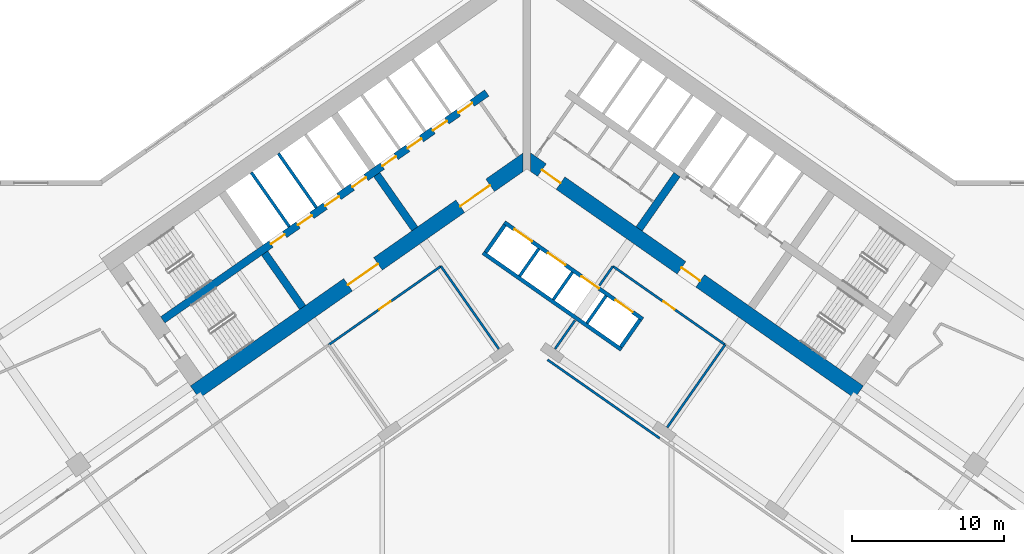
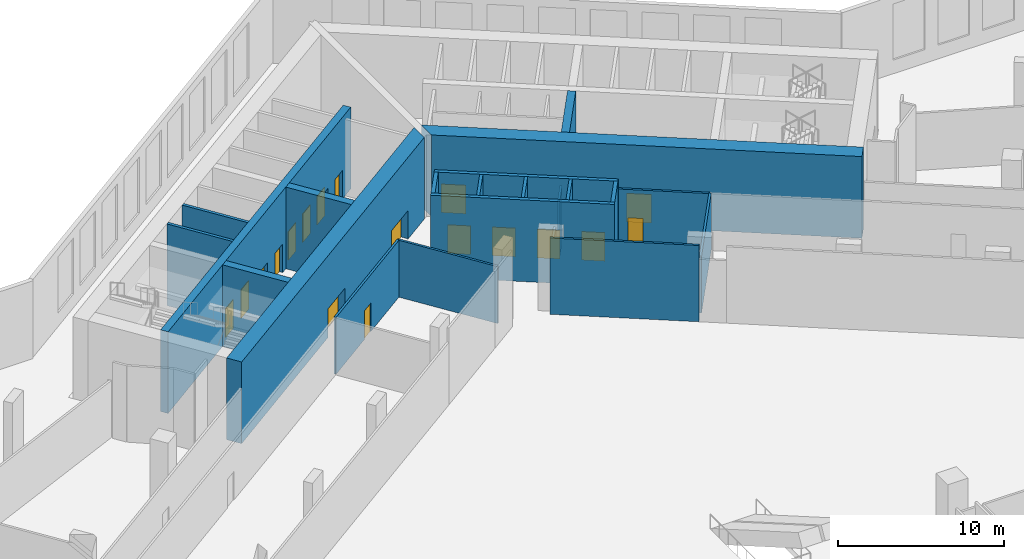
# One storey, part 10 of 25: 22 walls, 18 doors, 18 openings.
"""IFC4 building model written with IfcOpenShell, lengths in metres."""

from ifc_helpers import new_model, si_unit, direction, frame, frame_2d, origin, place, context, subcontext, project, spatial, polyline, rectangle, outline, extrude, material, layer, layer_set, type_object, element, fill, save


model = new_model("IFC4")

# Units and contexts
model_context = context("Model", 3, precision=1e-05, world=origin(), true_north=direction((0.0, 1.0)))
body_context = subcontext(model_context, "Body", "Model", "MODEL_VIEW")
ifc_project = project(units=[si_unit("LENGTHUNIT", "METRE"), si_unit("AREAUNIT", "SQUARE_METRE"), si_unit("VOLUMEUNIT", "CUBIC_METRE"), si_unit("PLANEANGLEUNIT", "RADIAN"), si_unit("MASSUNIT", "GRAM", prefix="KILO")], contexts=[model_context])

# Site, building, storey
site_placement = place(None, origin())
site = spatial("IfcSite", under=ifc_project, at=site_placement, CompositionType="ELEMENT")
building_placement = place(site_placement, origin())
building = spatial("IfcBuilding", under=site, at=building_placement, Name="Tel Ilan Convention Tower", CompositionType="ELEMENT")
storey_placement = place(building_placement, frame((0.0, 0.0, 26.0)))
storey = spatial("IfcBuildingStorey", under=building, at=storey_placement, Name="L03", CompositionType="ELEMENT", Elevation=26.0)

# Wall, openings, doors
ifc_material_1 = material(Name="Concrete C60/75", Category="concrete")
ifc_layer_1 = layer(ifc_material_1, 1.0)
ifc_layer_set_1 = layer_set([ifc_layer_1], Name="Core Shear Wall 1000 mm C60/75")
wall_type_1 = type_object("IfcWallType", Name="Core Shear Wall 1000 mm C60/75", PredefinedType="SHEAR", material=ifc_layer_set_1)
wall_1_placement = place(storey_placement, frame((0.036865234375, -0.584716796875, 0.0), z_axis=(0.0, 0.0, 1.0), x_axis=(-0.819157152511, -0.573569140985, 0.0)))
wall_1 = element("IfcWall", 1, at=wall_1_placement, inside=storey, type_object=wall_type_1, Name="L03 core wall W-front", PredefinedType="SHEAR", context=body_context, shape_type="SweptSolid", body=[
    extrude(outline(polyline([(26.69482421875, 0.500244140625), (0.7001953125, 0.499755859375), (0.0, -0.5), (26.69482421875, -0.499755859375), (26.69482421875, 0.500244140625)])), origin(), (0.0, 0.0, 1.0), 6.0),
])
opening_1_placement = place(wall_1_placement, frame((2.994873046875, 0.0, 0.0)))
opening_1 = element("IfcOpeningElement", 2, at=opening_1_placement, cuts=wall_1, Name="Opening CD0605", PredefinedType="OPENING", context=body_context, shape_type="SweptSolid", body=[
    extrude(rectangle(XDim=2.39990234375, YDim=2.10009765625, at=frame_2d((1.199951171875, 1.050048828125))), frame((0.0, 0.510009765625, 0.0), z_axis=(0.0, -1.0, 0.0), x_axis=(1.0, 0.0, 0.0)), (0.0, 0.0, 1.0), 1.02001953125),
])
opening_2_placement = place(wall_1_placement, frame((11.994873046875, 0.0, 0.0)))
opening_2 = element("IfcOpeningElement", 3, at=opening_2_placement, cuts=wall_1, Name="Opening CD0606", PredefinedType="OPENING", context=body_context, shape_type="SweptSolid", body=[
    extrude(rectangle(XDim=2.39990234375, YDim=2.10009765625, at=frame_2d((1.199951171875, 1.050048828125))), frame((0.0, 0.510009765625, 0.0), z_axis=(0.0, -1.0, 0.0), x_axis=(1.0, 0.0, 0.0)), (0.0, 0.0, 1.0), 1.02001953125),
])
ifc_material_2 = material(Name="Glazed Aluminium Door Leaf", Category="aluminium")
door_type_1 = type_object("IfcDoorType", Name="Lobby Opening Door 2400 x 2100 FD60S", OperationType="NOTDEFINED", PredefinedType="DOOR", material=ifc_material_2)
door_1_placement = place(opening_1_placement, origin())
door_1 = element("IfcDoor", 4, at=door_1_placement, inside=storey, type_object=door_type_1, Name="Lift Lobby LR1-LR4 opening", OperationType="DOUBLE_DOOR_SINGLE_SWING", OverallHeight=2.10009765625, OverallWidth=2.39990234375, PredefinedType="DOOR", context=body_context, shape_type="SweptSolid", body=[
    extrude(rectangle(XDim=2.39990234375, YDim=2.10009765625, at=frame_2d((1.199951171875, 1.050048828125))), frame((0.0, 0.02490234375, 0.0), z_axis=(0.0, -1.0, 0.0), x_axis=(1.0, 0.0, 0.0)), (0.0, 0.0, 1.0), 0.050048828125),
])
fill(opening_1, door_1)
door_2_placement = place(opening_2_placement, origin())
door_2 = element("IfcDoor", 5, at=door_2_placement, inside=storey, type_object=door_type_1, Name="Lift Lobby LR5-LR8 opening", OperationType="DOUBLE_DOOR_SINGLE_SWING", OverallHeight=2.10009765625, OverallWidth=2.39990234375, PredefinedType="DOOR", context=body_context, shape_type="SweptSolid", body=[
    extrude(rectangle(XDim=2.39990234375, YDim=2.10009765625, at=frame_2d((1.199951171875, 1.050048828125))), frame((0.0, 0.02490234375, 0.0), z_axis=(0.0, -1.0, 0.0), x_axis=(1.0, 0.0, 0.0)), (0.0, 0.0, 1.0), 0.050048828125),
])
fill(opening_2, door_2)

wall_2_placement = place(storey_placement, frame((-0.036865234375, -0.584716796875, 0.0), z_axis=(0.0, 0.0, 1.0), x_axis=(0.819157152511, -0.573569140985, 0.0)))
wall_2 = element("IfcWall", 6, at=wall_2_placement, inside=storey, type_object=wall_type_1, Name="L03 core wall E-front", PredefinedType="SHEAR", context=body_context, shape_type="SweptSolid", body=[
    extrude(outline(polyline([(26.69482421875, 0.499755859375), (0.0, 0.5), (0.7001953125, -0.499755859375), (26.69482421875, -0.500244140625), (26.69482421875, 0.499755859375)])), origin(), (0.0, 0.0, 1.0), 6.0),
])
opening_3_placement = place(wall_2_placement, frame((1.244873046875, 0.0, 0.0)))
opening_3 = element("IfcOpeningElement", 7, at=opening_3_placement, cuts=wall_2, Name="Opening CD0603", PredefinedType="OPENING", context=body_context, shape_type="SweptSolid", body=[
    extrude(rectangle(XDim=1.5, YDim=2.10009765625, at=frame_2d((0.75, 1.050048828125))), frame((0.0, 0.510009765625, 0.0), z_axis=(0.0, -1.0, 0.0), x_axis=(1.0, 0.0, 0.0)), (0.0, 0.0, 1.0), 1.02001953125),
])
opening_4_placement = place(wall_2_placement, frame((12.44482421875, 0.0, 0.0)))
opening_4 = element("IfcOpeningElement", 8, at=opening_4_placement, cuts=wall_2, Name="Opening CD0604", PredefinedType="OPENING", context=body_context, shape_type="SweptSolid", body=[
    extrude(rectangle(XDim=1.5, YDim=2.10009765625, at=frame_2d((0.75, 1.050048828125))), frame((0.0, 0.510009765625, 0.0), z_axis=(0.0, -1.0, 0.0), x_axis=(1.0, 0.0, 0.0)), (0.0, 0.0, 1.0), 1.02001953125),
])
ifc_material_3 = material(Name="Glazed Aluminium Door Leaf", Category="aluminium")
door_type_2 = type_object("IfcDoorType", Name="Lobby Opening Door 1500 x 2100 FD60S", OperationType="NOTDEFINED", PredefinedType="DOOR", material=ifc_material_3)
door_3_placement = place(opening_4_placement, origin())
door_3 = element("IfcDoor", 9, at=door_3_placement, inside=storey, type_object=door_type_2, Name="Firefighting Lobby door", OperationType="DOUBLE_DOOR_SINGLE_SWING", OverallHeight=2.10009765625, OverallWidth=1.5, PredefinedType="DOOR", context=body_context, shape_type="SweptSolid", body=[
    extrude(rectangle(XDim=1.5, YDim=2.10009765625, at=frame_2d((0.75, 1.050048828125))), frame((0.0, 0.02490234375, 0.0), z_axis=(0.0, -1.0, 0.0), x_axis=(1.0, 0.0, 0.0)), (0.0, 0.0, 1.0), 0.050048828125),
])
fill(opening_4, door_3)
ifc_material_4 = material(Name="Laminated Timber Door Leaf", Category="wood")
door_type_3 = type_object("IfcDoorType", Name="Toilet Door 1500 x 2100 FD30S", OperationType="NOTDEFINED", PredefinedType="DOOR", material=ifc_material_4)
door_4_placement = place(opening_3_placement, origin())
door_4 = element("IfcDoor", 10, at=door_4_placement, inside=storey, type_object=door_type_3, Name="WC Lobby door", OperationType="SINGLE_SWING_RIGHT", OverallHeight=2.10009765625, OverallWidth=1.5, PredefinedType="DOOR", context=body_context, shape_type="SweptSolid", body=[
    extrude(rectangle(XDim=1.5, YDim=2.10009765625, at=frame_2d((0.75, 1.050048828125))), frame((0.0, 0.02490234375, 0.0), z_axis=(0.0, -1.0, 0.0), x_axis=(1.0, 0.0, 0.0)), (0.0, 0.0, 1.0), 0.050048828125),
])
fill(opening_3, door_4)

# Walls
ifc_material_5 = material(Name="Concrete C60/75", Category="concrete")
ifc_layer_2 = layer(ifc_material_5, 0.5)
ifc_layer_set_2 = layer_set([ifc_layer_2], Name="Core Shear Wall 500 mm C60/75")
wall_type_2 = type_object("IfcWallType", Name="Core Shear Wall 500 mm C60/75", PredefinedType="SHEAR", material=ifc_layer_set_2)
wall_3_placement = place(storey_placement, frame((-7.372314453125, -5.162109375, 0.0), z_axis=(0.0, 0.0, 1.0), x_axis=(-0.573594173421, 0.819139624372, 0.0)))
element("IfcWall", 11, at=wall_3_placement, inside=storey, type_object=wall_type_2, Name="L03 core wall W-cross1-1", PredefinedType="SHEAR", context=body_context, shape_type="SweptSolid", body=[
    extrude(outline(polyline([(4.349853515625, 0.25), (0.0, 0.250244140625), (0.0, -0.25), (4.349853515625, -0.25), (4.349853515625, 0.25)])), origin(), (0.0, 0.0, 1.0), 6.0),
])
wall_4_placement = place(storey_placement, frame((-14.74462890625, -10.324462890625, 0.0), z_axis=(0.0, 0.0, 1.0), x_axis=(-0.57356780395, 0.819158088694, 0.0)))
element("IfcWall", 12, at=wall_4_placement, inside=storey, type_object=wall_type_2, Name="L03 core wall W-cross2-1", PredefinedType="SHEAR", context=body_context, shape_type="SweptSolid", body=[
    extrude(outline(polyline([(4.35009765625, 0.250244140625), (0.0, 0.25), (0.0, -0.25), (4.35009765625, -0.25), (4.35009765625, 0.250244140625)])), origin(), (0.0, 0.0, 1.0), 6.0),
])

# Wall, openings, doors
wall_5_placement = place(storey_placement, frame((-2.638427734375, 3.76806640625, 0.0), z_axis=(0.0, 0.0, 1.0), x_axis=(-0.819148977158, -0.573580816643, 0.0)))
wall_5 = element("IfcWall", 13, at=wall_5_placement, inside=storey, type_object=wall_type_2, Name="L03 core wall W-spine", PredefinedType="SHEAR", context=body_context, shape_type="SweptSolid", body=[
    extrude(outline(polyline([(26.0, 0.249755859375), (0.0, 0.25), (0.0, -0.25), (26.0, -0.250244140625), (26.0, 0.249755859375)])), origin(), (0.0, 0.0, 1.0), 6.0),
])
opening_5_placement = place(wall_5_placement, frame((1.168701171875, 0.0, 0.0)))
opening_5 = element("IfcOpeningElement", 14, at=opening_5_placement, cuts=wall_5, Name="Opening LD0604", PredefinedType="OPENING", context=body_context, shape_type="SweptSolid", body=[
    extrude(rectangle(XDim=1.10009765625, YDim=2.10009765625, at=frame_2d((0.550048828125, 1.050048828125))), frame((0.0, 0.260009765625, 0.0), z_axis=(0.0, -1.0, 0.0), x_axis=(1.0, 0.0, 0.0)), (0.0, 0.0, 1.0), 0.52001953125),
])
opening_6_placement = place(wall_5_placement, frame((3.206298828125, 0.0, 0.0)))
opening_6 = element("IfcOpeningElement", 15, at=opening_6_placement, cuts=wall_5, Name="Opening LD0605", PredefinedType="OPENING", context=body_context, shape_type="SweptSolid", body=[
    extrude(rectangle(XDim=1.10009765625, YDim=2.10009765625, at=frame_2d((0.550048828125, 1.050048828125))), frame((0.0, 0.260009765625, 0.0), z_axis=(0.0, -1.0, 0.0), x_axis=(1.0, 0.0, 0.0)), (0.0, 0.0, 1.0), 0.52001953125),
])
opening_7_placement = place(wall_5_placement, frame((5.24365234375, 0.0, 0.0)))
opening_7 = element("IfcOpeningElement", 16, at=opening_7_placement, cuts=wall_5, Name="Opening LD0606", PredefinedType="OPENING", context=body_context, shape_type="SweptSolid", body=[
    extrude(rectangle(XDim=1.10009765625, YDim=2.10009765625, at=frame_2d((0.550048828125, 1.050048828125))), frame((0.0, 0.260009765625, 0.0), z_axis=(0.0, -1.0, 0.0), x_axis=(1.0, 0.0, 0.0)), (0.0, 0.0, 1.0), 0.52001953125),
])
opening_8_placement = place(wall_5_placement, frame((7.28125, 0.0, 0.0)))
opening_8 = element("IfcOpeningElement", 17, at=opening_8_placement, cuts=wall_5, Name="Opening LD0607", PredefinedType="OPENING", context=body_context, shape_type="SweptSolid", body=[
    extrude(rectangle(XDim=1.10009765625, YDim=2.10009765625, at=frame_2d((0.550048828125, 1.050048828125))), frame((0.0, 0.260009765625, 0.0), z_axis=(0.0, -1.0, 0.0), x_axis=(1.0, 0.0, 0.0)), (0.0, 0.0, 1.0), 0.52001953125),
])
opening_9_placement = place(wall_5_placement, frame((9.6875, 0.0, 0.0)))
opening_9 = element("IfcOpeningElement", 18, at=opening_9_placement, cuts=wall_5, Name="Opening LD0608", PredefinedType="OPENING", context=body_context, shape_type="SweptSolid", body=[
    extrude(rectangle(XDim=1.10009765625, YDim=2.10009765625, at=frame_2d((0.550048828125, 1.050048828125))), frame((0.0, 0.260009765625, 0.0), z_axis=(0.0, -1.0, 0.0), x_axis=(1.0, 0.0, 0.0)), (0.0, 0.0, 1.0), 0.52001953125),
])
opening_10_placement = place(wall_5_placement, frame((11.862548828125, 0.0, 0.0)))
opening_10 = element("IfcOpeningElement", 19, at=opening_10_placement, cuts=wall_5, Name="Opening LD0609", PredefinedType="OPENING", context=body_context, shape_type="SweptSolid", body=[
    extrude(rectangle(XDim=1.10009765625, YDim=2.10009765625, at=frame_2d((0.550048828125, 1.050048828125))), frame((0.0, 0.260009765625, 0.0), z_axis=(0.0, -1.0, 0.0), x_axis=(1.0, 0.0, 0.0)), (0.0, 0.0, 1.0), 0.52001953125),
])
opening_11_placement = place(wall_5_placement, frame((14.03759765625, 0.0, 0.0)))
opening_11 = element("IfcOpeningElement", 20, at=opening_11_placement, cuts=wall_5, Name="Opening LD0610", PredefinedType="OPENING", context=body_context, shape_type="SweptSolid", body=[
    extrude(rectangle(XDim=1.10009765625, YDim=2.10009765625, at=frame_2d((0.550048828125, 1.050048828125))), frame((0.0, 0.260009765625, 0.0), z_axis=(0.0, -1.0, 0.0), x_axis=(1.0, 0.0, 0.0)), (0.0, 0.0, 1.0), 0.52001953125),
])
opening_12_placement = place(wall_5_placement, frame((16.21240234375, 0.0, 0.0)))
opening_12 = element("IfcOpeningElement", 21, at=opening_12_placement, cuts=wall_5, Name="Opening LD0611", PredefinedType="OPENING", context=body_context, shape_type="SweptSolid", body=[
    extrude(rectangle(XDim=1.10009765625, YDim=2.10009765625, at=frame_2d((0.550048828125, 1.050048828125))), frame((0.0, 0.260009765625, 0.0), z_axis=(0.0, -1.0, 0.0), x_axis=(1.0, 0.0, 0.0)), (0.0, 0.0, 1.0), 0.52001953125),
])
ifc_material_6 = material(Name="Stainless Steel Sliding Door Leaf", Category="steel")
door_type_4 = type_object("IfcDoorType", Name="Lift Landing Door 1100 x 2100 FD120", OperationType="NOTDEFINED", PredefinedType="DOOR", material=ifc_material_6)
door_5_placement = place(opening_5_placement, origin())
door_5 = element("IfcDoor", 22, at=door_5_placement, inside=storey, type_object=door_type_4, Name="Lift LR1 landing door", OperationType="SLIDING_TO_LEFT", OverallHeight=2.10009765625, OverallWidth=1.10009765625, PredefinedType="DOOR", context=body_context, shape_type="SweptSolid", body=[
    extrude(rectangle(XDim=1.10009765625, YDim=2.10009765625, at=frame_2d((0.550048828125, 1.050048828125))), frame((0.0, 0.02490234375, 0.0), z_axis=(0.0, -1.0, 0.0), x_axis=(1.0, 0.0, 0.0)), (0.0, 0.0, 1.0), 0.050048828125),
])
fill(opening_5, door_5)
door_6_placement = place(opening_6_placement, origin())
door_6 = element("IfcDoor", 23, at=door_6_placement, inside=storey, type_object=door_type_4, Name="Lift LR2 landing door", OperationType="SLIDING_TO_RIGHT", OverallHeight=2.10009765625, OverallWidth=1.10009765625, PredefinedType="DOOR", context=body_context, shape_type="SweptSolid", body=[
    extrude(rectangle(XDim=1.10009765625, YDim=2.10009765625, at=frame_2d((0.550048828125, 1.050048828125))), frame((0.0, 0.02490234375, 0.0), z_axis=(0.0, -1.0, 0.0), x_axis=(1.0, 0.0, 0.0)), (0.0, 0.0, 1.0), 0.050048828125),
])
fill(opening_6, door_6)
door_7_placement = place(opening_7_placement, origin())
door_7 = element("IfcDoor", 24, at=door_7_placement, inside=storey, type_object=door_type_4, Name="Lift LR3 landing door", OperationType="SLIDING_TO_LEFT", OverallHeight=2.10009765625, OverallWidth=1.10009765625, PredefinedType="DOOR", context=body_context, shape_type="SweptSolid", body=[
    extrude(rectangle(XDim=1.10009765625, YDim=2.10009765625, at=frame_2d((0.550048828125, 1.050048828125))), frame((0.0, 0.02490234375, 0.0), z_axis=(0.0, -1.0, 0.0), x_axis=(1.0, 0.0, 0.0)), (0.0, 0.0, 1.0), 0.050048828125),
])
fill(opening_7, door_7)
door_8_placement = place(opening_8_placement, origin())
door_8 = element("IfcDoor", 25, at=door_8_placement, inside=storey, type_object=door_type_4, Name="Lift LR4 landing door", OperationType="SLIDING_TO_RIGHT", OverallHeight=2.10009765625, OverallWidth=1.10009765625, PredefinedType="DOOR", context=body_context, shape_type="SweptSolid", body=[
    extrude(rectangle(XDim=1.10009765625, YDim=2.10009765625, at=frame_2d((0.550048828125, 1.050048828125))), frame((0.0, 0.02490234375, 0.0), z_axis=(0.0, -1.0, 0.0), x_axis=(1.0, 0.0, 0.0)), (0.0, 0.0, 1.0), 0.050048828125),
])
fill(opening_8, door_8)
door_9_placement = place(opening_9_placement, origin())
door_9 = element("IfcDoor", 26, at=door_9_placement, inside=storey, type_object=door_type_4, Name="Lift LR5 landing door", OperationType="SLIDING_TO_LEFT", OverallHeight=2.10009765625, OverallWidth=1.10009765625, PredefinedType="DOOR", context=body_context, shape_type="SweptSolid", body=[
    extrude(rectangle(XDim=1.10009765625, YDim=2.10009765625, at=frame_2d((0.550048828125, 1.050048828125))), frame((0.0, 0.02490234375, 0.0), z_axis=(0.0, -1.0, 0.0), x_axis=(1.0, 0.0, 0.0)), (0.0, 0.0, 1.0), 0.050048828125),
])
fill(opening_9, door_9)
door_10_placement = place(opening_10_placement, origin())
door_10 = element("IfcDoor", 27, at=door_10_placement, inside=storey, type_object=door_type_4, Name="Lift LR6 landing door", OperationType="SLIDING_TO_RIGHT", OverallHeight=2.10009765625, OverallWidth=1.10009765625, PredefinedType="DOOR", context=body_context, shape_type="SweptSolid", body=[
    extrude(rectangle(XDim=1.10009765625, YDim=2.10009765625, at=frame_2d((0.550048828125, 1.050048828125))), frame((0.0, 0.02490234375, 0.0), z_axis=(0.0, -1.0, 0.0), x_axis=(1.0, 0.0, 0.0)), (0.0, 0.0, 1.0), 0.050048828125),
])
fill(opening_10, door_10)
door_11_placement = place(opening_11_placement, origin())
door_11 = element("IfcDoor", 28, at=door_11_placement, inside=storey, type_object=door_type_4, Name="Lift LR7 landing door", OperationType="SLIDING_TO_LEFT", OverallHeight=2.10009765625, OverallWidth=1.10009765625, PredefinedType="DOOR", context=body_context, shape_type="SweptSolid", body=[
    extrude(rectangle(XDim=1.10009765625, YDim=2.10009765625, at=frame_2d((0.550048828125, 1.050048828125))), frame((0.0, 0.02490234375, 0.0), z_axis=(0.0, -1.0, 0.0), x_axis=(1.0, 0.0, 0.0)), (0.0, 0.0, 1.0), 0.050048828125),
])
fill(opening_11, door_11)
door_12_placement = place(opening_12_placement, origin())
door_12 = element("IfcDoor", 29, at=door_12_placement, inside=storey, type_object=door_type_4, Name="Lift LR8 landing door", OperationType="SLIDING_TO_RIGHT", OverallHeight=2.10009765625, OverallWidth=1.10009765625, PredefinedType="DOOR", context=body_context, shape_type="SweptSolid", body=[
    extrude(rectangle(XDim=1.10009765625, YDim=2.10009765625, at=frame_2d((0.550048828125, 1.050048828125))), frame((0.0, 0.02490234375, 0.0), z_axis=(0.0, -1.0, 0.0), x_axis=(1.0, 0.0, 0.0)), (0.0, 0.0, 1.0), 0.050048828125),
])
fill(opening_12, door_12)

# Wall
wall_6_placement = place(storey_placement, frame((7.372314453125, -5.162109375, 0.0), z_axis=(0.0, 0.0, 1.0), x_axis=(0.573594173421, 0.819139624372, 0.0)))
element("IfcWall", 30, at=wall_6_placement, inside=storey, type_object=wall_type_2, Name="L03 core wall E-cross1-1", PredefinedType="SHEAR", context=body_context, shape_type="SweptSolid", body=[
    extrude(outline(polyline([(0.0, 0.25), (0.0, -0.250244140625), (4.349853515625, -0.25), (4.349853515625, 0.25), (0.0, 0.25)])), origin(), (0.0, 0.0, 1.0), 6.0),
])

# Wall, opening, door
ifc_material_7 = material(Name="Plasterboard on Steel Studs", Category="steel")
ifc_layer_3 = layer(ifc_material_7, 0.14990234375)
ifc_layer_set_3 = layer_set([ifc_layer_3], Name="Fire-rated Partition 150 EI 60")
wall_type_3 = type_object("IfcWallType", Name="Fire-rated Partition 150 EI 60", PredefinedType="PARTITIONING", material=ifc_layer_set_3)
wall_7_placement = place(storey_placement, frame((13.025634765625, -12.782958984375, 0.0), z_axis=(0.0, 0.0, 1.0), x_axis=(-0.81915291695, 0.57357519006, 0.0)))
wall_7 = element("IfcWall", 31, at=wall_7_placement, inside=storey, type_object=wall_type_3, Name="Partition 002", PredefinedType="PARTITIONING", context=body_context, shape_type="SweptSolid", body=[
    extrude(rectangle(XDim=9.001953125, YDim=0.14990234375, at=frame_2d((4.5009765625, 0.0))), origin(), (0.0, 0.0, 1.0), 4.179931640625),
])
opening_13_placement = place(wall_7_placement, frame((4.051025390625, 0.0, 0.0)))
opening_13 = element("IfcOpeningElement", 32, at=opening_13_placement, cuts=wall_7, Name="Opening L03-004", PredefinedType="OPENING", context=body_context, shape_type="SweptSolid", body=[
    extrude(rectangle(XDim=0.89990234375, YDim=2.10009765625, at=frame_2d((0.449951171875, 1.050048828125))), frame((0.0, 0.0849609375, 0.0), z_axis=(0.0, -1.0, 0.0), x_axis=(1.0, 0.0, 0.0)), (0.0, 0.0, 1.0), 0.169921875),
])
ifc_material_8 = material(Name="Timber Door Leaf in Steel Frame", Category="steel")
door_type_5 = type_object("IfcDoorType", Name="Room Fire Door 900x2100", OperationType="NOTDEFINED", PredefinedType="DOOR", material=ifc_material_8)
door_13_placement = place(opening_13_placement, origin())
door_13 = element("IfcDoor", 33, at=door_13_placement, inside=storey, type_object=door_type_5, Name="Door L03-004", OperationType="SINGLE_SWING_LEFT", OverallHeight=2.10009765625, OverallWidth=0.89990234375, PredefinedType="DOOR", context=body_context, shape_type="SweptSolid", body=[
    extrude(rectangle(XDim=0.89990234375, YDim=2.10009765625, at=frame_2d((0.449951171875, 1.050048828125))), frame((0.0, 0.02490234375, 0.0), z_axis=(0.0, -1.0, 0.0), x_axis=(1.0, 0.0, 0.0)), (0.0, 0.0, 1.0), 0.050048828125),
])
fill(opening_13, door_13)

wall_8_placement = place(storey_placement, frame((-5.651611328125, -7.61962890625, 0.0), z_axis=(0.0, 0.0, 1.0), x_axis=(-0.81915291695, -0.57357519006, 0.0)))
wall_8 = element("IfcWall", 34, at=wall_8_placement, inside=storey, type_object=wall_type_3, Name="Partition 005", PredefinedType="PARTITIONING", context=body_context, shape_type="SweptSolid", body=[
    extrude(rectangle(XDim=9.001953125, YDim=0.14990234375, at=frame_2d((4.5009765625, 0.0))), origin(), (0.0, 0.0, 1.0), 4.179931640625),
])
opening_14_placement = place(wall_8_placement, frame((4.051025390625, 0.0, 0.0)))
opening_14 = element("IfcOpeningElement", 35, at=opening_14_placement, cuts=wall_8, Name="Opening L03-001", PredefinedType="OPENING", context=body_context, shape_type="SweptSolid", body=[
    extrude(rectangle(XDim=0.89990234375, YDim=2.10009765625, at=frame_2d((0.449951171875, 1.050048828125))), frame((0.0, 0.0849609375, 0.0), z_axis=(0.0, -1.0, 0.0), x_axis=(1.0, 0.0, 0.0)), (0.0, 0.0, 1.0), 0.169921875),
])
door_14_placement = place(opening_14_placement, origin())
door_14 = element("IfcDoor", 36, at=door_14_placement, inside=storey, type_object=door_type_5, Name="Door L03-001", OperationType="SINGLE_SWING_RIGHT", OverallHeight=2.10009765625, OverallWidth=0.89990234375, PredefinedType="DOOR", context=body_context, shape_type="SweptSolid", body=[
    extrude(rectangle(XDim=0.89990234375, YDim=2.10009765625, at=frame_2d((0.449951171875, 1.050048828125))), frame((0.0, 0.02490234375, 0.0), z_axis=(0.0, -1.0, 0.0), x_axis=(1.0, 0.0, 0.0)), (0.0, 0.0, 1.0), 0.050048828125),
])
fill(opening_14, door_14)

# Walls
wall_9_placement = place(storey_placement, frame((13.02392578125, -12.78173828125, 0.0), z_axis=(0.0, 0.0, 1.0), x_axis=(-0.573556251799, -0.819166177294, 0.0)))
element("IfcWall", 37, at=wall_9_placement, inside=storey, type_object=wall_type_3, Name="Partition 017", PredefinedType="PARTITIONING", context=body_context, shape_type="SweptSolid", body=[
    extrude(rectangle(XDim=6.630126953125, YDim=0.14990234375, at=frame_2d((3.31494140625, 0.0))), origin(), (0.0, 0.0, 1.0), 4.179931640625),
])
wall_10_placement = place(storey_placement, frame((8.72216796875, -18.925537109375, 0.0), z_axis=(0.0, 0.0, 1.0), x_axis=(-0.819141427692, 0.573591598124, 0.0)))
element("IfcWall", 38, at=wall_10_placement, inside=storey, type_object=wall_type_3, Name="Partition 018", PredefinedType="PARTITIONING", context=body_context, shape_type="SweptSolid", body=[
    extrude(rectangle(XDim=9.0, YDim=0.14990234375, at=frame_2d((4.5, 0.0))), origin(), (0.0, 0.0, 1.0), 5.60009765625),
])
wall_11_placement = place(storey_placement, frame((1.848876953125, -13.050537109375, 0.0), z_axis=(0.0, 0.0, 1.0), x_axis=(0.57358452344, 0.819146381589, 0.0)))
element("IfcWall", 39, at=wall_11_placement, inside=storey, type_object=wall_type_3, Name="Partition 019", PredefinedType="PARTITIONING", context=body_context, shape_type="SweptSolid", body=[
    extrude(rectangle(XDim=2.27978515625, YDim=0.14990234375, at=frame_2d((1.139892578125, 0.0))), origin(), (0.0, 0.0, 1.0), 4.179931640625),
])
wall_12_placement = place(storey_placement, frame((4.7626953125, -8.889404296875, 0.0), z_axis=(0.0, 0.0, 1.0), x_axis=(0.573494057365, 0.819209720504, 0.0)))
element("IfcWall", 40, at=wall_12_placement, inside=storey, type_object=wall_type_3, Name="Partition 020", PredefinedType="PARTITIONING", context=body_context, shape_type="SweptSolid", body=[
    extrude(rectangle(XDim=1.550048828125, YDim=0.14990234375, at=frame_2d((0.77490234375, 0.0))), origin(), (0.0, 0.0, 1.0), 4.179931640625),
])
wall_13_placement = place(storey_placement, frame((-1.848876953125, -13.050537109375, 0.0), z_axis=(0.0, 0.0, 1.0), x_axis=(-0.573575988258, 0.819152358047, 0.0)))
element("IfcWall", 41, at=wall_13_placement, inside=storey, type_object=wall_type_3, Name="Partition 069", PredefinedType="PARTITIONING", context=body_context, shape_type="SweptSolid", body=[
    extrude(rectangle(XDim=6.632080078125, YDim=0.14990234375, at=frame_2d((3.31591796875, 0.0))), origin(), (0.0, 0.0, 1.0), 4.179931640625),
])
ifc_material_9 = material(Name="Concrete C30/37", Category="concrete")
ifc_layer_4 = layer(ifc_material_9, 0.199951171875)
ifc_layer_set_4 = layer_set([ifc_layer_4], Name="Lift Shaft Wall 200 mm C30/37")
wall_type_4 = type_object("IfcWallType", Name="Lift Shaft Wall 200 mm C30/37", PredefinedType="SOLIDWALL", material=ifc_layer_set_4)
wall_14_placement = place(storey_placement, frame((-13.84033203125, -3.7705078125, 0.0), z_axis=(0.0, 0.0, 1.0), x_axis=(-0.57356780395, 0.819158088694, 0.0)))
element("IfcWall", 42, at=wall_14_placement, inside=storey, type_object=wall_type_4, Name="L03 core wall bank-W2-p1", PredefinedType="SOLIDWALL", context=body_context, shape_type="SweptSolid", body=[
    extrude(rectangle(XDim=4.35009765625, YDim=0.199951171875, at=frame_2d((2.175048828125, 0.0))), origin(), (0.0, 0.0, 1.0), 6.0),
])
wall_15_placement = place(storey_placement, frame((-15.6220703125, -5.017822265625, 0.0), z_axis=(0.0, 0.0, 1.0), x_axis=(-0.573594173421, 0.819139624372, 0.0)))
element("IfcWall", 43, at=wall_15_placement, inside=storey, type_object=wall_type_4, Name="L03 core wall bank-W2-p2", PredefinedType="SOLIDWALL", context=body_context, shape_type="SweptSolid", body=[
    extrude(rectangle(XDim=4.349853515625, YDim=0.199951171875, at=frame_2d((2.1748046875, 0.0))), origin(), (0.0, 0.0, 1.0), 6.0),
])
for number, where, z_axis, x_axis, name in (
    (44, (-0.48046875, -8.27001953125, 0.0), (0.0, 0.0, 1.0), (0.573633636671, 0.819111989218, 0.0), "L03 core wall pl-part-0"),
    (45, (1.731201171875, -9.818603515625, 0.0), (0.0, 0.0, 1.0), (0.573633636671, 0.819111989218, 0.0), "L03 core wall pl-part-1"),
    (46, (3.943115234375, -11.367431640625, 0.0), (0.0, 0.0, 1.0), (0.573507030513, 0.819200638399, 0.0), "L03 core wall pl-part-2"),
):
    element("IfcWall", number, at=place(storey_placement, frame(where, z_axis=z_axis, x_axis=x_axis)), inside=storey, type_object=wall_type_4, Name=name, PredefinedType="SOLIDWALL", context=body_context, shape_type="SweptSolid", body=[
        extrude(rectangle(XDim=2.199951171875, YDim=0.199951171875, at=frame_2d((1.10009765625, 0.0))), origin(), (0.0, 0.0, 1.0), 6.0),
    ])
ifc_material_10 = material(Name="Concrete C30/37", Category="concrete")
ifc_layer_5 = layer(ifc_material_10, 0.25)
ifc_layer_set_5 = layer_set([ifc_layer_5], Name="Lift Shaft Wall 250 mm C30/37")
wall_type_5 = type_object("IfcWallType", Name="Lift Shaft Wall 250 mm C30/37", PredefinedType="SOLIDWALL", material=ifc_layer_set_5)
wall_16_placement = place(storey_placement, frame((-2.88671875, -6.73779296875, 0.0), z_axis=(0.0, 0.0, 1.0), x_axis=(0.819150280716, -0.573578954985, 0.0)))
element("IfcWall", 47, at=wall_16_placement, inside=storey, type_object=wall_type_5, Name="L03 core wall pl-back", PredefinedType="SOLIDWALL", context=body_context, shape_type="SweptSolid", body=[
    extrude(rectangle(XDim=11.099853515625, YDim=0.25, at=frame_2d((5.5498046875, 0.0))), origin(), (0.0, 0.0, 1.0), 6.0),
])

# Wall, openings, doors
wall_17_placement = place(storey_placement, frame((-1.4814453125, -4.73095703125, 0.0), z_axis=(0.0, 0.0, 1.0), x_axis=(0.819150280716, -0.573578954985, 0.0)))
wall_17 = element("IfcWall", 48, at=wall_17_placement, inside=storey, type_object=wall_type_5, Name="L03 core wall pl-front", PredefinedType="SOLIDWALL", context=body_context, shape_type="SweptSolid", body=[
    extrude(rectangle(XDim=11.099853515625, YDim=0.25, at=frame_2d((5.5498046875, 0.0))), origin(), (0.0, 0.0, 1.0), 6.0),
])
opening_15_placement = place(wall_17_placement, frame((0.800048828125, 0.0, 0.0)))
opening_15 = element("IfcOpeningElement", 49, at=opening_15_placement, cuts=wall_17, Name="Opening LD0612", PredefinedType="OPENING", context=body_context, shape_type="SweptSolid", body=[
    extrude(rectangle(XDim=1.39990234375, YDim=2.10009765625, at=frame_2d((0.699951171875, 1.050048828125))), frame((0.0, 0.135009765625, 0.0), z_axis=(0.0, -1.0, 0.0), x_axis=(1.0, 0.0, 0.0)), (0.0, 0.0, 1.0), 0.27001953125),
])
opening_16_placement = place(wall_17_placement, frame((3.5, 0.0, 0.0)))
opening_16 = element("IfcOpeningElement", 50, at=opening_16_placement, cuts=wall_17, Name="Opening LD0613", PredefinedType="OPENING", context=body_context, shape_type="SweptSolid", body=[
    extrude(rectangle(XDim=1.39990234375, YDim=2.10009765625, at=frame_2d((0.699951171875, 1.050048828125))), frame((0.0, 0.135009765625, 0.0), z_axis=(0.0, -1.0, 0.0), x_axis=(1.0, 0.0, 0.0)), (0.0, 0.0, 1.0), 0.27001953125),
])
opening_17_placement = place(wall_17_placement, frame((6.199951171875, 0.0, 0.0)))
opening_17 = element("IfcOpeningElement", 51, at=opening_17_placement, cuts=wall_17, Name="Opening LD0614", PredefinedType="OPENING", context=body_context, shape_type="SweptSolid", body=[
    extrude(rectangle(XDim=1.39990234375, YDim=2.10009765625, at=frame_2d((0.699951171875, 1.050048828125))), frame((0.0, 0.135009765625, 0.0), z_axis=(0.0, -1.0, 0.0), x_axis=(1.0, 0.0, 0.0)), (0.0, 0.0, 1.0), 0.27001953125),
])
opening_18_placement = place(wall_17_placement, frame((8.89990234375, 0.0, 0.0)))
opening_18 = element("IfcOpeningElement", 52, at=opening_18_placement, cuts=wall_17, Name="Opening LD0615", PredefinedType="OPENING", context=body_context, shape_type="SweptSolid", body=[
    extrude(rectangle(XDim=1.39990234375, YDim=2.10009765625, at=frame_2d((0.699951171875, 1.050048828125))), frame((0.0, 0.135009765625, 0.0), z_axis=(0.0, -1.0, 0.0), x_axis=(1.0, 0.0, 0.0)), (0.0, 0.0, 1.0), 0.27001953125),
])
ifc_material_11 = material(Name="Stainless Steel Sliding Door Leaf", Category="steel")
door_type_6 = type_object("IfcDoorType", Name="Lift Landing Door 1400 x 2100 FD120", OperationType="NOTDEFINED", PredefinedType="DOOR", material=ifc_material_11)
door_15_placement = place(opening_15_placement, origin())
door_15 = element("IfcDoor", 53, at=door_15_placement, inside=storey, type_object=door_type_6, Name="Lift PL1 landing door", OperationType="SLIDING_TO_LEFT", OverallHeight=2.10009765625, OverallWidth=1.39990234375, PredefinedType="DOOR", context=body_context, shape_type="SweptSolid", body=[
    extrude(rectangle(XDim=1.39990234375, YDim=2.10009765625, at=frame_2d((0.699951171875, 1.050048828125))), frame((0.0, 0.02490234375, 0.0), z_axis=(0.0, -1.0, 0.0), x_axis=(1.0, 0.0, 0.0)), (0.0, 0.0, 1.0), 0.050048828125),
])
fill(opening_15, door_15)
door_16_placement = place(opening_16_placement, origin())
door_16 = element("IfcDoor", 54, at=door_16_placement, inside=storey, type_object=door_type_6, Name="Lift PL2 landing door", OperationType="SLIDING_TO_RIGHT", OverallHeight=2.10009765625, OverallWidth=1.39990234375, PredefinedType="DOOR", context=body_context, shape_type="SweptSolid", body=[
    extrude(rectangle(XDim=1.39990234375, YDim=2.10009765625, at=frame_2d((0.699951171875, 1.050048828125))), frame((0.0, 0.02490234375, 0.0), z_axis=(0.0, -1.0, 0.0), x_axis=(1.0, 0.0, 0.0)), (0.0, 0.0, 1.0), 0.050048828125),
])
fill(opening_16, door_16)
door_17_placement = place(opening_17_placement, origin())
door_17 = element("IfcDoor", 55, at=door_17_placement, inside=storey, type_object=door_type_6, Name="Lift PL3 landing door", OperationType="SLIDING_TO_LEFT", OverallHeight=2.10009765625, OverallWidth=1.39990234375, PredefinedType="DOOR", context=body_context, shape_type="SweptSolid", body=[
    extrude(rectangle(XDim=1.39990234375, YDim=2.10009765625, at=frame_2d((0.699951171875, 1.050048828125))), frame((0.0, 0.02490234375, 0.0), z_axis=(0.0, -1.0, 0.0), x_axis=(1.0, 0.0, 0.0)), (0.0, 0.0, 1.0), 0.050048828125),
])
fill(opening_17, door_17)
door_18_placement = place(opening_18_placement, origin())
door_18 = element("IfcDoor", 56, at=door_18_placement, inside=storey, type_object=door_type_6, Name="Lift PL4 landing door", OperationType="SLIDING_TO_RIGHT", OverallHeight=2.10009765625, OverallWidth=1.39990234375, PredefinedType="DOOR", context=body_context, shape_type="SweptSolid", body=[
    extrude(rectangle(XDim=1.39990234375, YDim=2.10009765625, at=frame_2d((0.699951171875, 1.050048828125))), frame((0.0, 0.02490234375, 0.0), z_axis=(0.0, -1.0, 0.0), x_axis=(1.0, 0.0, 0.0)), (0.0, 0.0, 1.0), 0.050048828125),
])
fill(opening_18, door_18)

# Walls
wall_18_placement = place(storey_placement, frame((-2.712646484375, -6.70703125, 0.0), z_axis=(0.0, 0.0, 1.0), x_axis=(0.573581496053, 0.819148501424, 0.0)))
element("IfcWall", 57, at=wall_18_placement, inside=storey, type_object=wall_type_5, Name="L03 core wall pl-end-a", PredefinedType="SOLIDWALL", context=body_context, shape_type="SweptSolid", body=[
    extrude(rectangle(XDim=2.2001953125, YDim=0.25, at=frame_2d((1.10009765625, 0.0))), origin(), (0.0, 0.0, 1.0), 6.0),
])
wall_19_placement = place(storey_placement, frame((6.17529296875, -12.930419921875, 0.0), z_axis=(0.0, 0.0, 1.0), x_axis=(0.573559170999, 0.819164133348, 0.0)))
element("IfcWall", 58, at=wall_19_placement, inside=storey, type_object=wall_type_5, Name="L03 core wall pl-end-b", PredefinedType="SOLIDWALL", context=body_context, shape_type="SweptSolid", body=[
    extrude(rectangle(XDim=2.19970703125, YDim=0.25, at=frame_2d((1.099853515625, 0.0))), origin(), (0.0, 0.0, 1.0), 6.0),
])

save(model, "model.ifc")
